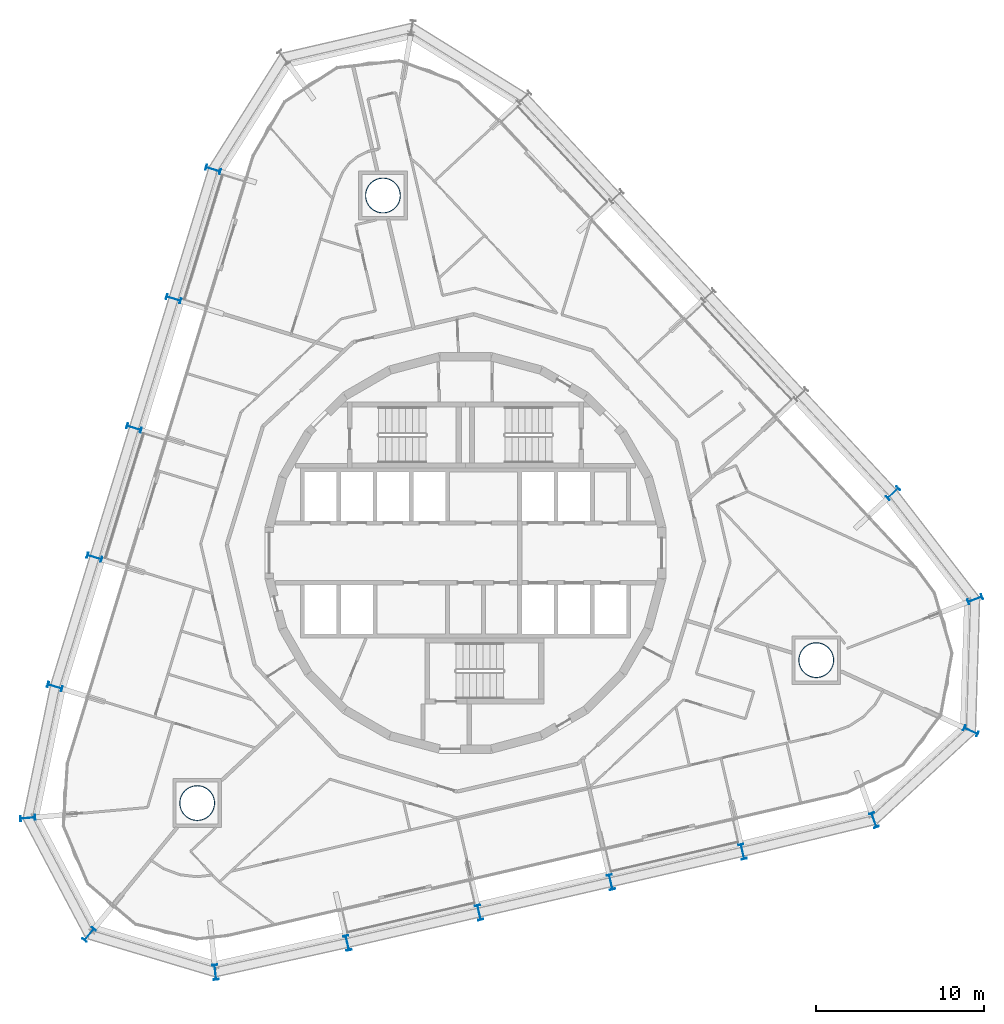
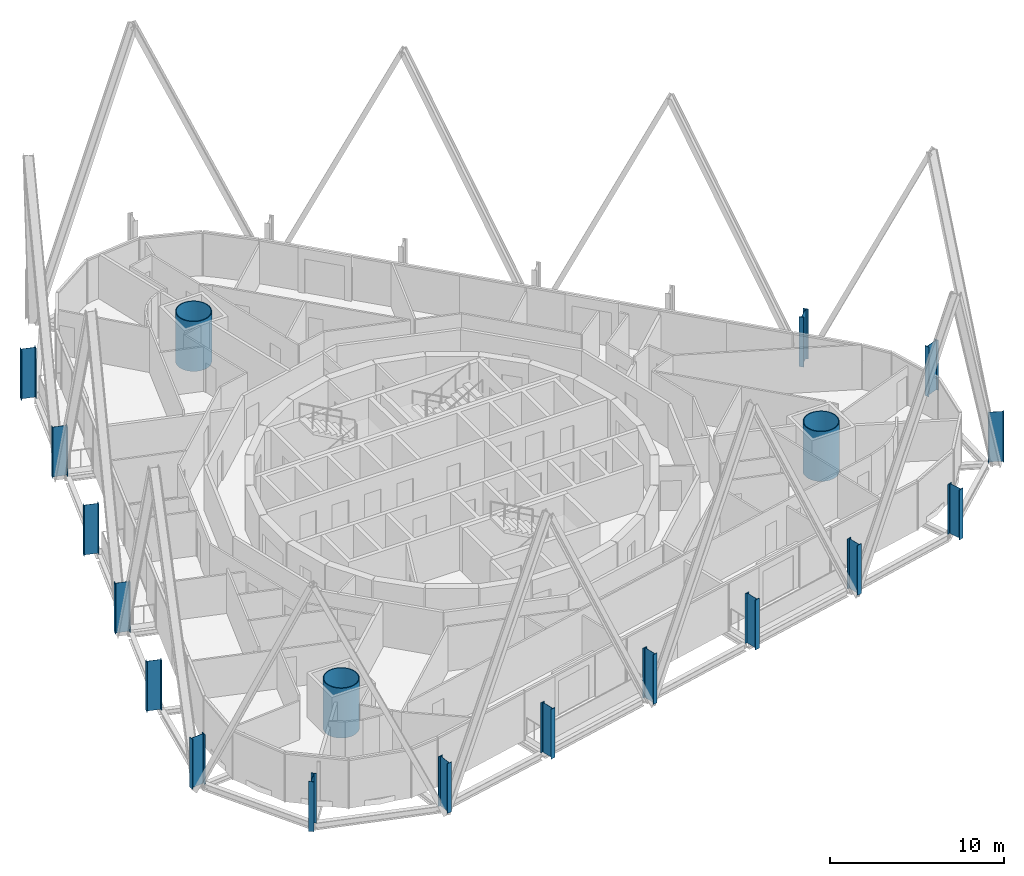
# One storey, part 1 of 18: 19 columns.
"""IFC4 building model written with IfcOpenShell, lengths in metres."""

from ifc_helpers import new_model, si_unit, direction, frame, origin, origin_2d, place, context, subcontext, project, spatial, hollow_circle, i_section, extrude, material, material_profile, profile_set, type_object, element, save


model = new_model("IFC4")

# Units and contexts
model_context = context("Model", 3, precision=1e-05, world=origin(), true_north=direction((0.0, 1.0)))
body_context = subcontext(model_context, "Body", "Model", "MODEL_VIEW")
ifc_project = project(units=[si_unit("LENGTHUNIT", "METRE"), si_unit("AREAUNIT", "SQUARE_METRE"), si_unit("VOLUMEUNIT", "CUBIC_METRE"), si_unit("PLANEANGLEUNIT", "RADIAN"), si_unit("MASSUNIT", "GRAM", prefix="KILO")], contexts=[model_context])

# Site, building, storey
site_placement = place(None, origin())
site = spatial("IfcSite", under=ifc_project, at=site_placement, CompositionType="ELEMENT")
building_placement = place(site_placement, origin())
building = spatial("IfcBuilding", under=site, at=building_placement, Name="Spindle Arch Residences", CompositionType="ELEMENT")
storey_placement = place(building_placement, frame((0.0, 0.0, 127.39990234375)))
storey = spatial("IfcBuildingStorey", under=building, at=storey_placement, Name="L31", CompositionType="ELEMENT", Elevation=127.39990234375)

# Columns
ifc_material_1 = material(Name="Steel S460ML, intumescent coating R 240", Category="steel")
ifc_material_profile_1 = material_profile(ifc_material_1, i_section(OverallWidth=0.300048828125, OverallDepth=0.89990234375, WebThickness=0.0185546875, FlangeThickness=0.034912109375, FilletRadius=0.030029296875, at=origin_2d()), Name="HEB 900")
ifc_profile_set_1 = profile_set([ifc_material_profile_1], Name="Steel S460ML, intumescent coating R 240")
column_type_1 = type_object("IfcColumnType", Name="Exoskeleton post HEB 900", PredefinedType="COLUMN", material=ifc_profile_set_1)
for number, where, z_axis, x_axis, name in (
    (1, (8.633544921875, -19.5498046875, -0.3798828125), (0.0, 0.0, 1.0), (-0.974370073419, -0.224951016948, 0.0), "Exoskeleton post 1"),
    (2, (16.45703125, -17.74365234375, -0.3798828125), (0.0, 0.0, 1.0), (-0.974370073419, -0.224951016948, 0.0), "Exoskeleton post 2"),
    (3, (24.26123046875, -15.86767578125, -0.3798828125), (0.0, 0.0, 1.0), (-0.940523325903, -0.339729117728, 0.0), "Exoskeleton post 3"),
    (4, (30.013916015625, -10.5712890625, -0.3798828125), (0.0, 0.0, 1.0), (-0.416143895931, -0.909298772615, 0.0), "Exoskeleton post 4"),
    (5, (30.261962890625, -2.756103515625, -0.3798828125), (0.0, 0.0, 1.0), (0.357664986637, -0.933849965109, 0.0), "Exoskeleton post 5"),
    (6, (25.390869140625, 3.550048828125, -0.3798828125), (0.0, 0.0, 1.0), (0.68199801865, -0.731354019992, 0.0), "Exoskeleton post 6"),
    (7, (-14.9873046875, 22.7734375, -0.3798828125), (0.0, 0.0, 1.0), (0.29237190653, 0.956304694264, 0.0), "Exoskeleton post 13"),
    (8, (-17.3349609375, 15.09521484375, -0.3798828125), (0.0, 0.0, 1.0), (0.29237190653, 0.956304694264, 0.0), "Exoskeleton post 14"),
    (9, (-19.682373046875, 7.4169921875, -0.3798828125), (0.0, 0.0, 1.0), (0.29237190653, 0.956304694264, 0.0), "Exoskeleton post 15"),
    (10, (-22.02978515625, -0.261474609375, -0.3798828125), (0.0, 0.0, 1.0), (0.29237190653, 0.956304694264, 0.0), "Exoskeleton post 16"),
    (11, (-24.37744140625, -7.939697265625, -0.3798828125), (0.0, 0.0, 1.0), (0.29237190653, 0.956304694264, 0.0), "Exoskeleton post 17"),
    (12, (-25.9912109375, -15.742919921875, -0.3798828125), (0.0, 0.0, 1.0), (-0.087904987966, 0.996128863697, 0.0), "Exoskeleton post 18"),
    (13, (-22.34228515625, -22.65869140625, -0.3798828125), (0.0, 0.0, 1.0), (-0.772637925649, 0.634846938915, 0.0), "Exoskeleton post 19"),
    (14, (-14.85009765625, -24.897216796875, -0.3798828125), (0.0, 0.0, 1.0), (-0.994264182944, -0.106952019682, 0.0), "Exoskeleton post 20"),
    (15, (-7.01318359375, -23.162109375, -0.3798828125), (0.0, 0.0, 1.0), (-0.974370073419, -0.224951016948, 0.0), "Exoskeleton post 21"),
    (16, (0.810302734375, -21.35595703125, -0.3798828125), (0.0, 0.0, 1.0), (-0.974370073419, -0.224951016948, 0.0), "Exoskeleton post 22"),
):
    element("IfcColumn", number, at=place(storey_placement, frame(where, z_axis=z_axis, x_axis=x_axis)), inside=storey, type_object=column_type_1, Name=name, PredefinedType="COLUMN", context=body_context, shape_type="SweptSolid", body=[
        extrude(i_section(OverallWidth=0.300048828125, OverallDepth=0.89990234375, WebThickness=0.0185546875, FlangeThickness=0.034912109375, FilletRadius=0.030029296875, at=origin_2d()), origin(), (0.0, 0.0, 1.0), 3.5),
    ])
ifc_material_2 = material(Name="Concrete C50/60 filled steel tube S460ML, intumescent coating R 240", Category="concrete")
ifc_material_profile_2 = material_profile(ifc_material_2, hollow_circle(Radius=1.050048828125, WallThickness=0.050048828125, at=origin_2d()), Name="CFT D2100x50")
ifc_profile_set_2 = profile_set([ifc_material_profile_2], Name="Concrete C50/60 filled steel tube S460ML, intumescent coating R 240")
column_type_2 = type_object("IfcColumnType", Name="Mega-column CFT D2100x50", PredefinedType="COLUMN", material=ifc_profile_set_2)
for number, where, z_axis, x_axis, name in (
    (17, (20.830078125, -6.368408203125, -0.3798828125), (0.0, 0.0, 1.0), (1.0, 0.0, 0.0), "Mega-column 1"),
    (18, (-4.89990234375, 21.223388671875, -0.3798828125), (0.0, 0.0, 1.0), (1.0, 0.0, 0.0), "Mega-column 2"),
    (19, (-15.93017578125, -14.855224609375, -0.3798828125), (0.0, 0.0, 1.0), (1.0, 0.0, 0.0), "Mega-column 3"),
):
    element("IfcColumn", number, at=place(storey_placement, frame(where, z_axis=z_axis, x_axis=x_axis)), inside=storey, type_object=column_type_2, Name=name, PredefinedType="COLUMN", context=body_context, shape_type="SweptSolid", body=[
        extrude(hollow_circle(Radius=1.050048828125, WallThickness=0.050048828125, at=origin_2d()), origin(), (0.0, 0.0, 1.0), 3.5),
    ])

save(model, "model.ifc")
